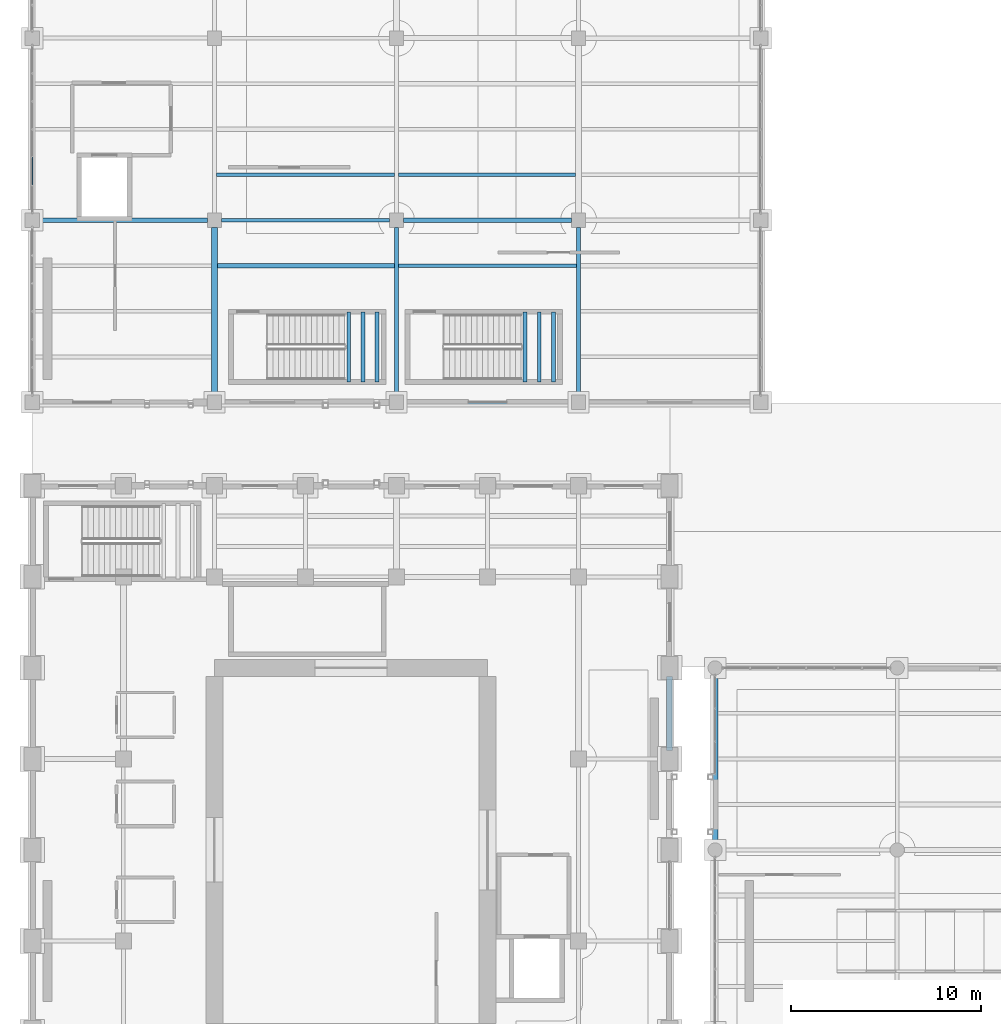
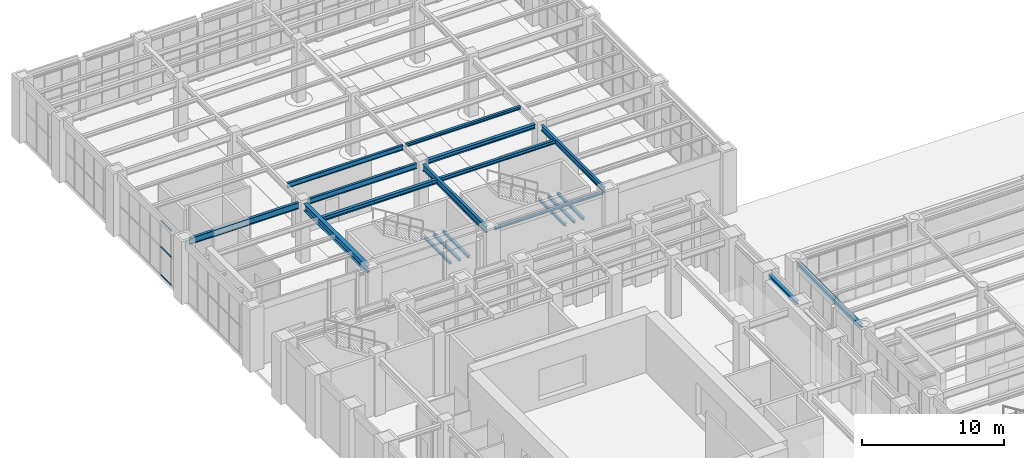
# One storey, part 62 of 164: 19 beams, 3 members, 1 element without a shape of its own.
"""IFC4 building model written with IfcOpenShell, lengths in metres."""

from ifc_helpers import new_model, si_unit, direction, frame, origin, origin_2d, place, context, subcontext, project, spatial, hollow_rectangle, i_section, extrude, material, material_profile, profile_set, type_object, element, aggregate, save


model = new_model("IFC4")

# Units and contexts
model_context = context("Model", 3, precision=1e-05, world=origin(), true_north=direction((0.0, 1.0)))
body_context = subcontext(model_context, "Body", "Model", "MODEL_VIEW")
ifc_project = project(units=[si_unit("LENGTHUNIT", "METRE"), si_unit("AREAUNIT", "SQUARE_METRE"), si_unit("VOLUMEUNIT", "CUBIC_METRE"), si_unit("PLANEANGLEUNIT", "RADIAN"), si_unit("MASSUNIT", "GRAM", prefix="KILO")], contexts=[model_context])

# Site, building, storey
site_placement = place(None, origin())
site = spatial("IfcSite", under=ifc_project, at=site_placement, CompositionType="ELEMENT")
building_placement = place(site_placement, origin())
building = spatial("IfcBuilding", under=site, at=building_placement, Name="Mavantir Sound Aquarium", CompositionType="ELEMENT")
storey_placement = place(building_placement, origin())
storey = spatial("IfcBuildingStorey", under=building, at=storey_placement, Name="L00", CompositionType="ELEMENT", Elevation=0.0)

# Beams
ifc_material_1 = material(Name="Structural Steel ASTM A992 Gr50", Category="steel")
ifc_material_profile_1 = material_profile(ifc_material_1, i_section(OverallWidth=0.202880859375, OverallDepth=0.202880859375, WebThickness=0.007080078125, FlangeThickness=0.010986328125, FilletRadius=0.010009765625, at=origin_2d()), Name="W200X46")
ifc_profile_set_1 = profile_set([ifc_material_profile_1], Name="Structural Steel ASTM A992 Gr50")
beam_type_1 = type_object("IfcBeamType", Name="BM-W200X46-E", PredefinedType="LINTEL", material=ifc_profile_set_1)
beam_1_placement = place(storey_placement, frame((19.574951171875, 83.60009765625, 4.994384765625), z_axis=(1.0, 0.0, 0.0), x_axis=(0.0, 1.0, 0.0)))
element("IfcBeam", 1, at=beam_1_placement, inside=storey, type_object=beam_type_1, Name="L00 primary beam SL-20 1032", PredefinedType="LINTEL", context=body_context, shape_type="SweptSolid", body=[
    extrude(i_section(OverallWidth=0.202880859375, OverallDepth=0.202880859375, WebThickness=0.007080078125, FlangeThickness=0.010986328125, FilletRadius=0.010009765625, at=origin_2d()), origin(), (0.0, 0.0, 1.0), 8.85009765625),
])
ifc_material_profile_2 = material_profile(ifc_material_1, i_section(OverallWidth=0.202880859375, OverallDepth=0.202880859375, WebThickness=0.007080078125, FlangeThickness=0.010986328125, FilletRadius=0.010009765625, at=origin_2d()), Name="W200X46")
ifc_profile_set_2 = profile_set([ifc_material_profile_2], Name="Structural Steel ASTM A992 Gr50")
beam_type_2 = type_object("IfcBeamType", Name="BM-W200X46-I", PredefinedType="LINTEL", material=ifc_profile_set_2)
for number, where, z_axis, x_axis, name in (
    (2, (16.679931640625, 84.675048828125, 2.3955078125), (0.0, 1.0, 0.0), (-1.0, 0.0, 0.0), "Stair ST5 landing support beam 88"),
    (3, (17.429931640625, 84.675048828125, 2.3955078125), (0.0, 1.0, 0.0), (-1.0, 0.0, 0.0), "Stair ST5 landing support beam 89"),
    (4, (18.179931640625, 84.675048828125, 2.3955078125), (0.0, 1.0, 0.0), (-1.0, 0.0, 0.0), "Stair ST5 landing support beam 90"),
    (5, (25.97998046875, 84.675048828125, 2.3955078125), (0.0, 1.0, 0.0), (-1.0, 0.0, 0.0), "Stair ST7 landing support beam 109"),
    (6, (26.72998046875, 84.675048828125, 2.3955078125), (0.0, 1.0, 0.0), (-1.0, 0.0, 0.0), "Stair ST7 landing support beam 110"),
    (7, (27.47998046875, 84.675048828125, 2.3955078125), (0.0, 1.0, 0.0), (-1.0, 0.0, 0.0), "Stair ST7 landing support beam 111"),
):
    element("IfcBeam", number, at=place(storey_placement, frame(where, z_axis=z_axis, x_axis=x_axis)), inside=storey, type_object=beam_type_2, Name=name, PredefinedType="LINTEL", context=body_context, shape_type="SweptSolid", body=[
        extrude(i_section(OverallWidth=0.202880859375, OverallDepth=0.202880859375, WebThickness=0.007080078125, FlangeThickness=0.010986328125, FilletRadius=0.010009765625, at=origin_2d()), origin(), (0.0, 0.0, 1.0), 3.699951171875),
    ])
ifc_material_profile_3 = material_profile(ifc_material_1, i_section(OverallWidth=0.202880859375, OverallDepth=0.251953125, WebThickness=0.008056640625, FlangeThickness=0.013427734375, FilletRadius=0.011962890625, at=origin_2d()), Name="W250X58")
ifc_profile_set_3 = profile_set([ifc_material_profile_3], Name="Structural Steel ASTM A992 Gr50")
beam_type_3 = type_object("IfcBeamType", Name="BM-W250X58-I", PredefinedType="JOIST", material=ifc_profile_set_3)
beam_2_placement = place(storey_placement, frame((19.297119140625, 95.60009765625, 4.969970703125), z_axis=(1.0, 0.0, 0.0), x_axis=(0.0, 1.0, 0.0)))
element("IfcBeam", 8, at=beam_2_placement, inside=storey, type_object=beam_type_3, Name="L00 secondary floor joist SJ-25 588", PredefinedType="JOIST", context=body_context, shape_type="SweptSolid", body=[
    extrude(i_section(OverallWidth=0.202880859375, OverallDepth=0.251953125, WebThickness=0.008056640625, FlangeThickness=0.013427734375, FilletRadius=0.011962890625, at=origin_2d()), origin(), (0.0, 0.0, 1.0), 9.3408203125),
])
ifc_material_profile_4 = material_profile(ifc_material_1, i_section(OverallWidth=0.205078125, OverallDepth=0.31005859375, WebThickness=0.009521484375, FlangeThickness=0.016357421875, FilletRadius=0.012939453125, at=origin_2d()), Name="W310X74")
ifc_profile_set_4 = profile_set([ifc_material_profile_4], Name="Structural Steel ASTM A992 Gr50")
beam_type_4 = type_object("IfcBeamType", Name="BM-W310X74-I", PredefinedType="JOIST", material=ifc_profile_set_4)
beam_3_placement = place(storey_placement, frame((19.305908203125, 90.800048828125, 4.94091796875), z_axis=(1.0, 0.0, 0.0), x_axis=(0.0, 1.0, 0.0)))
element("IfcBeam", 9, at=beam_3_placement, inside=storey, type_object=beam_type_4, Name="L00 secondary floor joist SJ-31 579", PredefinedType="JOIST", context=body_context, shape_type="SweptSolid", body=[
    extrude(i_section(OverallWidth=0.205078125, OverallDepth=0.31005859375, WebThickness=0.009521484375, FlangeThickness=0.016357421875, FilletRadius=0.012939453125, at=origin_2d()), origin(), (0.0, 0.0, 1.0), 9.39697265625),
])
ifc_material_profile_5 = material_profile(ifc_material_1, i_section(OverallWidth=0.304931640625, OverallDepth=0.30810546875, WebThickness=0.010009765625, FlangeThickness=0.015380859375, FilletRadius=0.014892578125, at=origin_2d()), Name="W310X97")
ifc_profile_set_5 = profile_set([ifc_material_profile_5], Name="Structural Steel ASTM A992 Gr50")
beam_type_5 = type_object("IfcBeamType", Name="BM-W310X97-E", PredefinedType="SPANDREL", material=ifc_profile_set_5)
beam_4_placement = place(storey_placement, frame((33.60009765625, 65.25, 4.842041015625), z_axis=(0.0, 1.0, 0.0), x_axis=(-1.0, 0.0, 0.0)))
element("IfcBeam", 10, at=beam_4_placement, inside=storey, type_object=beam_type_5, Name="L00 primary girder SS-31A 863", PredefinedType="SPANDREL", context=body_context, shape_type="SweptSolid", body=[
    extrude(i_section(OverallWidth=0.304931640625, OverallDepth=0.30810546875, WebThickness=0.010009765625, FlangeThickness=0.015380859375, FilletRadius=0.014892578125, at=origin_2d()), origin(), (0.0, 0.0, 1.0), 3.89990234375),
])
beam_5_placement = place(storey_placement, frame((36.0, 60.375, 4.94189453125), z_axis=(0.0, 1.0, 0.0), x_axis=(-1.0, 0.0, 0.0)))
element("IfcBeam", 11, at=beam_5_placement, inside=storey, type_object=beam_type_5, Name="L00 primary girder SS-31A 879", PredefinedType="SPANDREL", context=body_context, shape_type="SweptSolid", body=[
    extrude(i_section(OverallWidth=0.304931640625, OverallDepth=0.30810546875, WebThickness=0.010009765625, FlangeThickness=0.015380859375, FilletRadius=0.014892578125, at=origin_2d()), origin(), (0.0, 0.0, 1.0), 8.85009765625),
])
ifc_material_profile_6 = material_profile(ifc_material_1, i_section(OverallWidth=0.257080078125, OverallDepth=0.363037109375, WebThickness=0.012939453125, FlangeThickness=0.021728515625, FilletRadius=0.014892578125, at=origin_2d()), Name="W360X122")
ifc_profile_set_6 = profile_set([ifc_material_profile_6], Name="Structural Steel ASTM A992 Gr50")
beam_type_6 = type_object("IfcBeamType", Name="BM-W360X122-I", PredefinedType="BEAM", material=ifc_profile_set_6)
beam_6_placement = place(storey_placement, frame((19.574951171875, 93.199951171875, 4.91455078125), z_axis=(1.0, 0.0, 0.0), x_axis=(0.0, 1.0, 0.0)))
element("IfcBeam", 12, at=beam_6_placement, inside=storey, type_object=beam_type_6, Name="L00 primary beam SB-36A 1036", PredefinedType="BEAM", context=body_context, shape_type="SweptSolid", body=[
    extrude(i_section(OverallWidth=0.257080078125, OverallDepth=0.363037109375, WebThickness=0.012939453125, FlangeThickness=0.021728515625, FilletRadius=0.014892578125, at=origin_2d()), origin(), (0.0, 0.0, 1.0), 8.85009765625),
])
ifc_material_profile_7 = material_profile(ifc_material_1, i_section(OverallWidth=0.25390625, OverallDepth=0.35302734375, WebThickness=0.009521484375, FlangeThickness=0.016357421875, FilletRadius=0.014892578125, at=origin_2d()), Name="W360X91")
ifc_profile_set_7 = profile_set([ifc_material_profile_7], Name="Structural Steel ASTM A992 Gr50")
beam_type_7 = type_object("IfcBeamType", Name="BM-W360X91-I", PredefinedType="JOIST", material=ifc_profile_set_7)
beam_7_placement = place(storey_placement, frame((9.761962890625, 90.800048828125, 4.91943359375), z_axis=(1.0, 0.0, 0.0), x_axis=(0.0, 1.0, 0.0)))
element("IfcBeam", 13, at=beam_7_placement, inside=storey, type_object=beam_type_7, Name="L00 secondary floor joist SJ-36 578", PredefinedType="JOIST", context=body_context, shape_type="SweptSolid", body=[
    extrude(i_section(OverallWidth=0.25390625, OverallDepth=0.35302734375, WebThickness=0.009521484375, FlangeThickness=0.016357421875, FilletRadius=0.014892578125, at=origin_2d()), origin(), (0.0, 0.0, 1.0), 9.33203125),
])
ifc_material_profile_8 = material_profile(ifc_material_1, i_section(OverallWidth=0.180908203125, OverallDepth=0.4169921875, WebThickness=0.010986328125, FlangeThickness=0.018310546875, FilletRadius=0.014892578125, at=origin_2d()), Name="W410X85")
ifc_profile_set_8 = profile_set([ifc_material_profile_8], Name="Structural Steel ASTM A992 Gr50")
beam_type_8 = type_object("IfcBeamType", Name="BM-W410X85-I", PredefinedType="JOIST", material=ifc_profile_set_8)
beam_8_placement = place(storey_placement, frame((9.7060546875, 95.60009765625, 4.887451171875), z_axis=(1.0, 0.0, 0.0), x_axis=(0.0, 1.0, 0.0)))
element("IfcBeam", 14, at=beam_8_placement, inside=storey, type_object=beam_type_8, Name="L00 secondary floor joist SJ-41 585", PredefinedType="JOIST", context=body_context, shape_type="SweptSolid", body=[
    extrude(i_section(OverallWidth=0.180908203125, OverallDepth=0.4169921875, WebThickness=0.010986328125, FlangeThickness=0.018310546875, FilletRadius=0.014892578125, at=origin_2d()), origin(), (0.0, 0.0, 1.0), 9.39697265625),
])
ifc_material_profile_9 = material_profile(ifc_material_1, i_section(OverallWidth=0.194091796875, OverallDepth=0.468994140625, WebThickness=0.0126953125, FlangeThickness=0.0205078125, FilletRadius=0.01611328125, at=origin_2d()), Name="W460X106")
ifc_profile_set_9 = profile_set([ifc_material_profile_9], Name="Structural Steel ASTM A992 Gr50")
beam_type_9 = type_object("IfcBeamType", Name="BM-W460X106-I", PredefinedType="BEAM", material=ifc_profile_set_9)
for number, where, z_axis, x_axis, name in (
    (15, (9.97509765625, 93.199951171875, 4.861572265625), (1.0, 0.0, 0.0), (0.0, 1.0, 0.0), "L00 primary beam SB-46 1035"),
    (16, (28.800048828125, 83.97509765625, 4.861572265625), (0.0, 1.0, 0.0), (-1.0, 0.0, 0.0), "L00 primary girder SB-46 1062"),
):
    element("IfcBeam", number, at=place(storey_placement, frame(where, z_axis=z_axis, x_axis=x_axis)), inside=storey, type_object=beam_type_9, Name=name, PredefinedType="BEAM", context=body_context, shape_type="SweptSolid", body=[
        extrude(i_section(OverallWidth=0.194091796875, OverallDepth=0.468994140625, WebThickness=0.0126953125, FlangeThickness=0.0205078125, FilletRadius=0.01611328125, at=origin_2d()), origin(), (0.0, 0.0, 1.0), 8.849853515625),
    ])
ifc_material_profile_10 = material_profile(ifc_material_1, i_section(OverallWidth=0.2119140625, OverallDepth=0.5439453125, WebThickness=0.01318359375, FlangeThickness=0.021240234375, FilletRadius=0.01806640625, at=origin_2d()), Name="W530X123")
ifc_profile_set_10 = profile_set([ifc_material_profile_10], Name="Structural Steel ASTM A992 Gr50")
beam_type_10 = type_object("IfcBeamType", Name="BM-W530X123-I", PredefinedType="BEAM", material=ifc_profile_set_10)
beam_9_placement = place(storey_placement, frame((0.375, 93.199951171875, 4.823974609375), z_axis=(1.0, 0.0, 0.0), x_axis=(0.0, 1.0, 0.0)))
element("IfcBeam", 17, at=beam_9_placement, inside=storey, type_object=beam_type_10, Name="L00 primary beam SB-53 1034", PredefinedType="BEAM", context=body_context, shape_type="SweptSolid", body=[
    extrude(i_section(OverallWidth=0.2119140625, OverallDepth=0.5439453125, WebThickness=0.01318359375, FlangeThickness=0.021240234375, FilletRadius=0.01806640625, at=origin_2d()), origin(), (0.0, 0.0, 1.0), 8.85009765625),
])
beam_10_placement = place(storey_placement, frame((19.199951171875, 83.97509765625, 4.823974609375), z_axis=(0.0, 1.0, 0.0), x_axis=(-1.0, 0.0, 0.0)))
element("IfcBeam", 18, at=beam_10_placement, inside=storey, type_object=beam_type_10, Name="L00 primary girder SB-53 1058", PredefinedType="BEAM", context=body_context, shape_type="SweptSolid", body=[
    extrude(i_section(OverallWidth=0.2119140625, OverallDepth=0.5439453125, WebThickness=0.01318359375, FlangeThickness=0.021240234375, FilletRadius=0.01806640625, at=origin_2d()), origin(), (0.0, 0.0, 1.0), 8.849853515625),
])
ifc_material_profile_11 = material_profile(ifc_material_1, i_section(OverallWidth=0.323974609375, OverallDepth=0.611083984375, WebThickness=0.0126953125, FlangeThickness=0.01904296875, FilletRadius=0.01904296875, at=origin_2d()), Name="W610X155")
ifc_profile_set_11 = profile_set([ifc_material_profile_11], Name="Structural Steel ASTM A992 Gr50")
beam_type_11 = type_object("IfcBeamType", Name="BM-W610X155-I", PredefinedType="BEAM", material=ifc_profile_set_11)
beam_11_placement = place(storey_placement, frame((9.60009765625, 83.97509765625, 4.79052734375), z_axis=(0.0, 1.0, 0.0), x_axis=(-1.0, 0.0, 0.0)))
element("IfcBeam", 19, at=beam_11_placement, inside=storey, type_object=beam_type_11, Name="L00 primary girder SB-61A 1054", PredefinedType="BEAM", context=body_context, shape_type="SweptSolid", body=[
    extrude(i_section(OverallWidth=0.323974609375, OverallDepth=0.611083984375, WebThickness=0.0126953125, FlangeThickness=0.01904296875, FilletRadius=0.01904296875, at=origin_2d()), origin(), (0.0, 0.0, 1.0), 8.849853515625),
])

# Curtain wall, members
ifc_material_2 = material(Name="Anodised Marine Aluminium and Low-E Glass", Category="aluminium")
curtain_wall_type = type_object("IfcCurtainWallType", Name="CW-T21", PredefinedType="USERDEFINED", material=ifc_material_2)
curtain_wall_placement = place(storey_placement, origin())
curtain_wall = element("IfcCurtainWall", 20, at=curtain_wall_placement, inside=storey, type_object=curtain_wall_type, Name="L00 unitised curtain wall CW-21 45", ObjectType="UNITISED GLAZING", PredefinedType="USERDEFINED")
ifc_material_3 = material(Name="Anodised Marine Aluminium 6063-T6", Category="aluminium")
ifc_material_profile_12 = material_profile(ifc_material_3, hollow_rectangle(XDim=0.06005859375, YDim=0.110107421875, WallThickness=0.00390625, at=origin_2d()), Name="ALU-TRANSOM-110X60")
ifc_profile_set_12 = profile_set([ifc_material_profile_12], Name="Anodised Marine Aluminium 6063-T6")
member_type = type_object("IfcMemberType", Name="CW-TRN-110", PredefinedType="USERDEFINED", material=ifc_profile_set_12)
member_1_placement = place(storey_placement, frame((0.0, 96.527587890625, 0.054931640625), z_axis=(0.0, -1.0, 0.0), x_axis=(1.0, 0.0, 0.0)))
member_1 = element("IfcMember", 21, at=member_1_placement, type_object=member_type, Name="CW-L00-045 transom 5.1", ObjectType="TRANSOM", PredefinedType="USERDEFINED", context=body_context, shape_type="SweptSolid", body=[
    extrude(hollow_rectangle(XDim=0.06005859375, YDim=0.110107421875, WallThickness=0.00390625, at=origin_2d()), origin(), (0.0, 0.0, 1.0), 1.47216796875),
])
member_2_placement = place(storey_placement, frame((0.0, 96.527587890625, 2.47314453125), z_axis=(0.0, -1.0, 0.0), x_axis=(1.0, 0.0, 0.0)))
member_2 = element("IfcMember", 22, at=member_2_placement, type_object=member_type, Name="CW-L00-045 transom 5.2", ObjectType="TRANSOM", PredefinedType="USERDEFINED", context=body_context, shape_type="SweptSolid", body=[
    extrude(hollow_rectangle(XDim=0.06005859375, YDim=0.110107421875, WallThickness=0.00390625, at=origin_2d()), origin(), (0.0, 0.0, 1.0), 1.47216796875),
])
member_3_placement = place(storey_placement, frame((0.0, 96.527587890625, 4.700927734375), z_axis=(0.0, -1.0, 0.0), x_axis=(1.0, 0.0, 0.0)))
member_3 = element("IfcMember", 23, at=member_3_placement, type_object=member_type, Name="CW-L00-045 transom 5.3", ObjectType="TRANSOM", PredefinedType="USERDEFINED", context=body_context, shape_type="SweptSolid", body=[
    extrude(hollow_rectangle(XDim=0.06005859375, YDim=0.110107421875, WallThickness=0.00390625, at=origin_2d()), origin(), (0.0, 0.0, 1.0), 1.47216796875),
])
aggregate(curtain_wall, [member_1, member_2, member_3])

save(model, "model.ifc")
